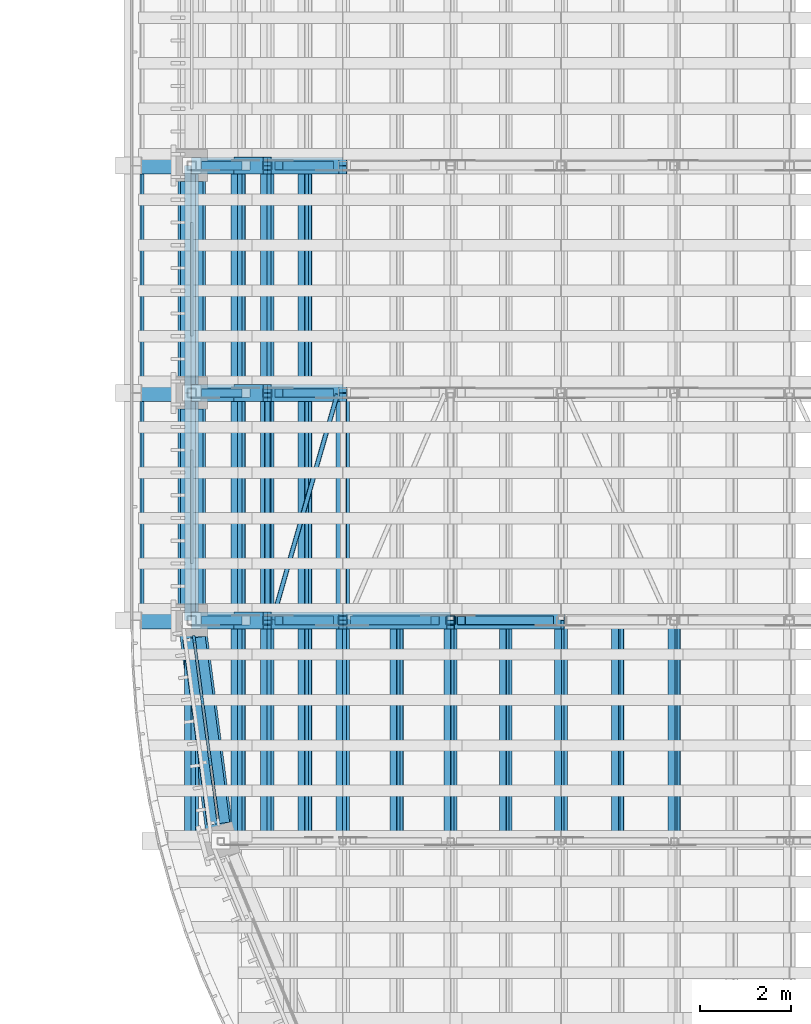
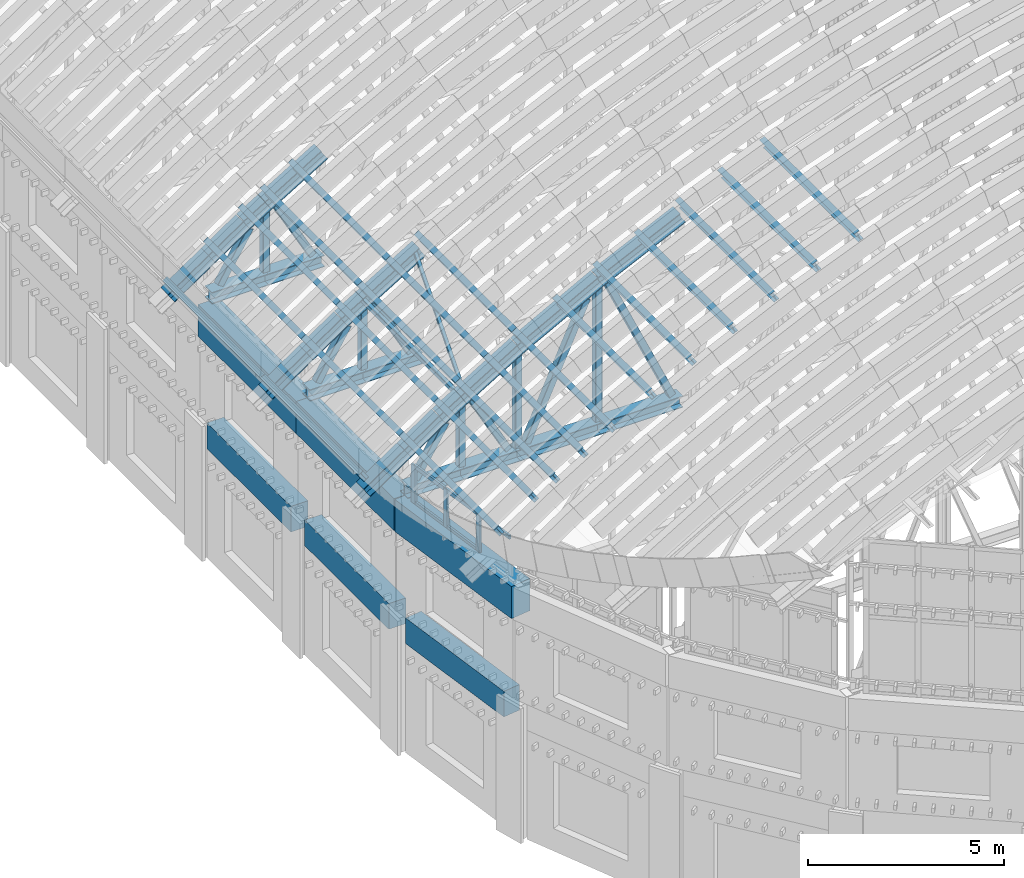
# One storey, part 7 of 105: 67 members, 6 beams, 1 element without a shape of its own.
"""IFC4 building model written with IfcOpenShell, lengths in metres."""

import ifcopenshell
import ifcopenshell.guid

model = None  # the IFC model being written
_history = None  # IfcOwnerHistory: only IFC2X3 demands one
_inside = {}  # id of a spatial element -> (the spatial element, [elements in it])
_under = {}  # id of a project, library or spatial element -> (it, [spatial elements below it])
_declared = {}  # id of a project -> (the project, [libraries it declares])
_typed = {}  # id of a type object -> (the type object, [elements of that type])
_made_of = {}  # id of a material, layer set ... -> (it, [elements and type objects made of it])


def new_model(schema):
    """Start an empty IFC model of exactly this schema.

    Asked for "IFC4X3", IfcOpenShell would pick the latest addendum, in which some entities
    have other attributes; the version numbers below select the first issue.
    IFC2X3 requires an IfcOwnerHistory on every rooted entity: one is made here for all.
    """
    global model, _history
    if schema == "IFC4X3":
        model = ifcopenshell.file(schema_version=(4, 3, 0, 0))
    else:
        model = ifcopenshell.file(schema=schema)
    _inside.clear()
    _under.clear()
    _declared.clear()
    _typed.clear()
    _made_of.clear()
    _history = None
    if model.schema == "IFC2X3":
        org = make("IfcOrganization", Name="unknown")
        user = make(
            "IfcPersonAndOrganization",
            ThePerson=make("IfcPerson", FamilyName="unknown"),
            TheOrganization=org,
        )
        app = make(
            "IfcApplication",
            ApplicationDeveloper=org,
            Version="unknown",
            ApplicationFullName="unknown",
            ApplicationIdentifier="unknown",
        )
        _history = make(
            "IfcOwnerHistory",
            OwningUser=user,
            OwningApplication=app,
            ChangeAction="ADDED",
            CreationDate=0,
        )
    return model


def make(cls, **values):
    """One entity of the class cls with the attributes given. An attribute that is None is left unset."""
    return model.create_entity(
        cls, **{name: value for name, value in values.items() if value is not None}
    )


def rooted(cls, **values):
    """An entity with a GlobalId (a new one), such as an element, a storey or a relation."""
    return make(cls, GlobalId=ifcopenshell.guid.new(), OwnerHistory=_history, **values)


def si_unit(unit_type, name, prefix=None):
    """IfcSIUnit, for example si_unit("LENGTHUNIT", "METRE", prefix="MILLI")."""
    return make("IfcSIUnit", UnitType=unit_type, Prefix=prefix, Name=name)


def assignment(units):
    """IfcUnitAssignment: the units of a project."""
    return None if units is None else make("IfcUnitAssignment", Units=units)


def point(xyz):
    """IfcCartesianPoint."""
    return None if xyz is None else make("IfcCartesianPoint", Coordinates=xyz)


def direction(xyz):
    """IfcDirection."""
    return None if xyz is None else make("IfcDirection", DirectionRatios=xyz)


def frame(location, z_axis=None, x_axis=None):
    """IfcAxis2Placement3D, a coordinate frame: its origin and axes. An axis left out is left unset."""
    return make(
        "IfcAxis2Placement3D",
        Location=point(location),
        Axis=direction(z_axis),
        RefDirection=direction(x_axis),
    )


def frame_2d(location, x_axis=None):
    """IfcAxis2Placement2D, a coordinate frame in the plane: its origin and x axis."""
    return make(
        "IfcAxis2Placement2D", Location=point(location), RefDirection=direction(x_axis)
    )


def origin():
    """The frame at (0, 0, 0) with its axes left unset."""
    return frame((0.0, 0.0, 0.0))


def origin_2d():
    """The frame at (0, 0) in the plane with its x axis left unset."""
    return frame_2d((0.0, 0.0))


def place(relative_to, where):
    """IfcLocalPlacement: puts the frame where relative to a parent placement (None: the world)."""
    return make(
        "IfcLocalPlacement", PlacementRelTo=relative_to, RelativePlacement=where
    )


def context(
    kind, dimensions, precision=None, world=None, true_north=None, identifier=None
):
    """IfcGeometricRepresentationContext, for example the 3D "Model" context."""
    return make(
        "IfcGeometricRepresentationContext",
        ContextIdentifier=identifier,
        ContextType=kind,
        CoordinateSpaceDimension=dimensions,
        Precision=precision,
        WorldCoordinateSystem=world,
        TrueNorth=true_north,
    )


def subcontext(parent, identifier, kind, view, scale=None):
    """IfcGeometricRepresentationSubContext, for example "Body" below "Model"."""
    return make(
        "IfcGeometricRepresentationSubContext",
        ContextIdentifier=identifier,
        ContextType=kind,
        ParentContext=parent,
        TargetScale=scale,
        TargetView=view,
    )


def project(units=None, contexts=None):
    """IfcProject with its units and contexts."""
    return rooted(
        "IfcProject",
        Name="project",
        RepresentationContexts=contexts,
        UnitsInContext=assignment(units),
    )


def spatial(cls, under=None, at=None, **own):
    """A site, building, storey or space (cls), placed at a placement, below another one or the project."""
    s = rooted(cls, ObjectPlacement=at, **own)
    if under is not None:
        _under.setdefault(under.id(), (under, []))[1].append(s)
    return s


def profile(cls, at=None, kind="AREA", **sizes):
    """A parametric profile (cls). Its sizes go by their IFC names, for example OverallWidth=200.0."""
    return make(cls, ProfileType=kind, Position=at, **sizes)


def rectangle(**sizes):
    """IfcRectangleProfileDef."""
    return profile("IfcRectangleProfileDef", **sizes)


def hollow_rectangle(**sizes):
    """IfcRectangleHollowProfileDef."""
    return profile("IfcRectangleHollowProfileDef", **sizes)


def i_section(**sizes):
    """IfcIShapeProfileDef."""
    return profile("IfcIShapeProfileDef", **sizes)


def extrude(swept, where, along, depth):
    """IfcExtrudedAreaSolid: the profile swept, set in the frame where, extruded along a direction by depth."""
    return make(
        "IfcExtrudedAreaSolid",
        SweptArea=swept,
        Position=where,
        ExtrudedDirection=direction(along),
        Depth=depth,
    )


def shape(context_of_items, identifier, shape_type, items):
    """IfcShapeRepresentation: the items that make up one representation, for example the "Body"."""
    return make(
        "IfcShapeRepresentation",
        ContextOfItems=context_of_items,
        RepresentationIdentifier=identifier,
        RepresentationType=shape_type,
        Items=items,
    )


def material(Name=None, Category=None):
    """IfcMaterial."""
    return make("IfcMaterial", Name=Name, Category=Category)


def layer(
    of_material, thickness, ventilated=None, Name=None, Category=None, Priority=None
):
    """IfcMaterialLayer: one layer of a wall or slab, of a material (None: an air gap)."""
    return make(
        "IfcMaterialLayer",
        Material=of_material,
        LayerThickness=thickness,
        IsVentilated=ventilated,
        Name=Name,
        Category=Category,
        Priority=Priority,
    )


def layer_set(layers, Name=None):
    """IfcMaterialLayerSet."""
    return make("IfcMaterialLayerSet", MaterialLayers=layers, LayerSetName=Name)


def material_profile(
    of_material, cross_section, Name=None, Category=None, Priority=None
):
    """IfcMaterialProfile: a cross section and its material."""
    return make(
        "IfcMaterialProfile",
        Name=Name,
        Material=of_material,
        Profile=cross_section,
        Priority=Priority,
        Category=Category,
    )


def profile_set(profiles, Name=None, composite=None):
    """IfcMaterialProfileSet."""
    return make(
        "IfcMaterialProfileSet",
        Name=Name,
        MaterialProfiles=profiles,
        CompositeProfile=composite,
    )


def made_of(thing, what):
    """Note that an element or type object is made of a material, layer set ...; save() writes the relation."""
    if what is not None:
        _made_of.setdefault(what.id(), (what, []))[1].append(thing)
    return thing


def type_object(cls, material=None, **own):
    """A type object (cls), such as IfcWallType, which elements share."""
    return made_of(rooted(cls, **own), material)


def element(
    cls,
    number,
    at=None,
    inside=None,
    cuts=None,
    type_object=None,
    material=None,
    context=None,
    identifier="Body",
    shape_type=None,
    held_by="IfcProductDefinitionShape",
    body=None,
    shapes=None,
    **own,
):
    """One element of the class cls, such as IfcWall. Its Tag is "e" and its number.

    at: its placement. inside: the storey or other place that contains it. cuts: it is an
    opening in that element (IfcRelVoidsElement). A single representation is given by context,
    identifier, shape_type and body (its items); several are given by shapes. held_by: the class
    of the entity that holds the representations. save() writes the other relations.
    """
    e = rooted(cls, Tag="e%d" % number, ObjectPlacement=at, **own)
    if body is not None:
        shapes = [shape(context, identifier, shape_type, body)]
    if shapes is not None:
        e.Representation = make(held_by, Representations=shapes)
    if inside is not None:
        _inside.setdefault(inside.id(), (inside, []))[1].append(e)
    if cuts is not None:
        rooted(
            "IfcRelVoidsElement", RelatingBuildingElement=cuts, RelatedOpeningElement=e
        )
    if type_object is not None:
        _typed.setdefault(type_object.id(), (type_object, []))[1].append(e)
    return made_of(e, material)


def aggregate(whole, parts):
    """IfcRelAggregates: a whole, such as a stair, and the parts it consists of."""
    return rooted("IfcRelAggregates", RelatingObject=whole, RelatedObjects=parts)


def save(model, path):
    """Write the relations noted so far, then the file.

    IfcRelAggregates (storeys below a building ...), IfcRelContainedInSpatialStructure (elements
    in a storey), IfcRelDefinesByType, IfcRelAssociatesMaterial and IfcRelDeclares: one each for
    every whole, place, type object, material and project.
    """
    for whole, parts in _under.values():
        aggregate(whole, parts)
    for where, things in _inside.values():
        rooted(
            "IfcRelContainedInSpatialStructure",
            RelatedElements=things,
            RelatingStructure=where,
        )
    for kind, things in _typed.values():
        rooted("IfcRelDefinesByType", RelatedObjects=things, RelatingType=kind)
    for what, things in _made_of.values():
        rooted("IfcRelAssociatesMaterial", RelatedObjects=things, RelatingMaterial=what)
    for by, libraries in _declared.values():
        rooted("IfcRelDeclares", RelatingContext=by, RelatedDefinitions=libraries)
    model.write(path)


model = new_model("IFC4")

# Units and contexts
model_context = context("Model", 3, precision=1e-05, world=origin(), true_north=direction((0.0, 1.0)))
body_context = subcontext(model_context, "Body", "Model", "MODEL_VIEW")
ifc_project = project(units=[si_unit("LENGTHUNIT", "METRE"), si_unit("AREAUNIT", "SQUARE_METRE"), si_unit("VOLUMEUNIT", "CUBIC_METRE"), si_unit("PLANEANGLEUNIT", "RADIAN"), si_unit("MASSUNIT", "GRAM", prefix="KILO")], contexts=[model_context])

# Site, building, storey
site_placement = place(None, origin())
site = spatial("IfcSite", under=ifc_project, at=site_placement, CompositionType="ELEMENT")
building_placement = place(site_placement, origin())
building = spatial("IfcBuilding", under=site, at=building_placement, Name="Wasatch Bagh Community Centre", CompositionType="ELEMENT")
storey_placement = place(building_placement, frame((0.0, 0.0, 16.800048828125)))
storey = spatial("IfcBuildingStorey", under=building, at=storey_placement, Name="L04", CompositionType="ELEMENT", Elevation=16.800048828125)

# Members
ifc_material_1 = material(Name="ASTM A500 Grade C steel", Category="steel")
ifc_material_profile_1 = material_profile(ifc_material_1, hollow_rectangle(XDim=0.1015625, YDim=0.1015625, WallThickness=0.005859375, InnerFilletRadius=0.005859375, OuterFilletRadius=0.01171875, at=origin_2d()), Name="HSS4x4x1/4")
ifc_profile_set_1 = profile_set([ifc_material_profile_1], Name="ASTM A500 Grade C steel")
member_type_1 = type_object("IfcMemberType", Name="HSS4x4x1/4 brace", PredefinedType="BRACE", material=ifc_profile_set_1)
member_1_placement = place(storey_placement, frame((19.0341796875, 35.02734375, 10.2763671875), z_axis=(0.27212936692, 0.948099837692, 0.164475850595), x_axis=(-0.961190180835, 0.27588663662, 0.0)))
element("IfcMember", 1, at=member_1_placement, inside=storey, type_object=member_type_1, Name="MH.TA1-TA2.RT.DG02", PredefinedType="BRACE", context=body_context, shape_type="SweptSolid", body=[
    extrude(hollow_rectangle(XDim=0.1015625, YDim=0.1015625, WallThickness=0.005859375, InnerFilletRadius=0.005859375, OuterFilletRadius=0.01171875, at=origin_2d()), origin(), (0.0, 0.0, 1.0), 5.216064453125),
])
ifc_material_profile_2 = material_profile(ifc_material_1, hollow_rectangle(XDim=0.126953125, YDim=0.126953125, WallThickness=0.00732421875, InnerFilletRadius=0.00732421875, OuterFilletRadius=0.0146484375, at=origin_2d()), Name="HSS5x5x5/16")
ifc_profile_set_2 = profile_set([ifc_material_profile_2], Name="ASTM A500 Grade C steel")
member_type_2 = type_object("IfcMemberType", Name="HSS5x5x5/16 strut", PredefinedType="STRUT", material=ifc_profile_set_2)
member_2_placement = place(storey_placement, frame((18.91259765625, 35.00537109375, 10.202880859375), z_axis=(0.0, 1.0, 0.0), x_axis=(-1.0, 0.0, 0.0)))
element("IfcMember", 2, at=member_2_placement, inside=storey, type_object=member_type_2, Name="MH.TA1-TA2.RT.ST02W", PredefinedType="STRUT", context=body_context, shape_type="SweptSolid", body=[
    extrude(hollow_rectangle(XDim=0.126953125, YDim=0.126953125, WallThickness=0.00732421875, InnerFilletRadius=0.00732421875, OuterFilletRadius=0.0146484375, at=origin_2d()), origin(), (0.0, 0.0, 1.0), 4.9892578125),
])
ifc_material_profile_3 = material_profile(ifc_material_1, hollow_rectangle(XDim=0.203125, YDim=0.203125, WallThickness=0.01171875, InnerFilletRadius=0.01171875, OuterFilletRadius=0.023681640625, at=origin_2d()), Name="HSS8x8x1/2")
ifc_profile_set_3 = profile_set([ifc_material_profile_3], Name="ASTM A500 Grade C steel")
member_type_3 = type_object("IfcMemberType", Name="HSS8x8x1/2 post", PredefinedType="POST", material=ifc_profile_set_3)
member_3_placement = place(storey_placement, frame((18.91259765625, 35.0, 8.070556640625), z_axis=(0.0, 0.0, 1.0), x_axis=(1.0, 0.0, 0.0)))
element("IfcMember", 3, at=member_3_placement, inside=storey, type_object=member_type_3, Name="MH.TA1.PS02", PredefinedType="POST", context=body_context, shape_type="SweptSolid", body=[
    extrude(hollow_rectangle(XDim=0.203125, YDim=0.203125, WallThickness=0.01171875, InnerFilletRadius=0.01171875, OuterFilletRadius=0.023681640625, at=origin_2d()), origin(), (0.0, 0.0, 1.0), 1.8544921875),
])
member_4_placement = place(storey_placement, frame((20.5751953125, 35.0, 8.070556640625), z_axis=(0.0, 0.0, 1.0), x_axis=(1.0, 0.0, 0.0)))
element("IfcMember", 4, at=member_4_placement, inside=storey, type_object=member_type_3, Name="MH.TA1.PS03", PredefinedType="POST", context=body_context, shape_type="SweptSolid", body=[
    extrude(hollow_rectangle(XDim=0.203125, YDim=0.203125, WallThickness=0.01171875, InnerFilletRadius=0.01171875, OuterFilletRadius=0.023681640625, at=origin_2d()), origin(), (0.0, 0.0, 1.0), 2.860107421875),
])
member_5_placement = place(storey_placement, frame((22.943359375, 35.0, 8.070556640625), z_axis=(0.0, 0.0, 1.0), x_axis=(1.0, 0.0, 0.0)))
element("IfcMember", 5, at=member_5_placement, inside=storey, type_object=member_type_3, Name="MH.TA1.PS04", PredefinedType="POST", context=body_context, shape_type="SweptSolid", body=[
    extrude(hollow_rectangle(XDim=0.203125, YDim=0.203125, WallThickness=0.01171875, InnerFilletRadius=0.01171875, OuterFilletRadius=0.023681640625, at=origin_2d()), origin(), (0.0, 0.0, 1.0), 4.143798828125),
])
for number, where, z_axis, x_axis, name in (
    (6, (18.91259765625, 40.0, 8.070556640625), (0.0, 0.0, 1.0), (1.0, 0.0, 0.0), "MH.TA2.PS02"),
    (7, (18.91259765625, 45.0, 8.070556640625), (0.0, 0.0, 1.0), (1.0, 0.0, 0.0), "MH.TA3.PS02"),
):
    element("IfcMember", number, at=place(storey_placement, frame(where, z_axis=z_axis, x_axis=x_axis)), inside=storey, type_object=member_type_3, Name=name, PredefinedType="POST", context=body_context, shape_type="SweptSolid", body=[
        extrude(hollow_rectangle(XDim=0.203125, YDim=0.203125, WallThickness=0.01171875, InnerFilletRadius=0.01171875, OuterFilletRadius=0.023681640625, at=origin_2d()), origin(), (0.0, 0.0, 1.0), 1.8544921875),
    ])
ifc_material_profile_4 = material_profile(ifc_material_1, hollow_rectangle(XDim=0.203125, YDim=0.203125, WallThickness=0.0087890625, InnerFilletRadius=0.0087890625, OuterFilletRadius=0.017822265625, at=origin_2d()), Name="HSS8x8x3/8")
ifc_profile_set_4 = profile_set([ifc_material_profile_4], Name="ASTM A500 Grade C steel")
member_type_4 = type_object("IfcMemberType", Name="HSS8x8x3/8 brace", PredefinedType="BRACE", material=ifc_profile_set_4)
member_6_placement = place(storey_placement, frame((17.5537109375, 35.0, 8.12353515625), z_axis=(0.516603928155, 0.0, 0.856224492417), x_axis=(0.0, 1.0, 0.0)))
element("IfcMember", 8, at=member_6_placement, inside=storey, type_object=member_type_4, Name="MH.TA1.WB01", PredefinedType="BRACE", context=body_context, shape_type="SweptSolid", body=[
    extrude(hollow_rectangle(XDim=0.203125, YDim=0.203125, WallThickness=0.0087890625, InnerFilletRadius=0.0087890625, OuterFilletRadius=0.017822265625, at=origin_2d()), origin(), (0.0, 0.0, 1.0), 1.71875),
])
member_7_placement = place(storey_placement, frame((20.28466796875, 35.0, 8.120361328125), z_axis=(-0.48431154024, 0.0, 0.874895612054), x_axis=(0.0, -1.0, 0.0)))
element("IfcMember", 9, at=member_7_placement, inside=storey, type_object=member_type_4, Name="MH.TA1.WB02", PredefinedType="BRACE", context=body_context, shape_type="SweptSolid", body=[
    extrude(hollow_rectangle(XDim=0.203125, YDim=0.203125, WallThickness=0.0087890625, InnerFilletRadius=0.0087890625, OuterFilletRadius=0.017822265625, at=origin_2d()), origin(), (0.0, 0.0, 1.0), 2.30517578125),
])
member_8_placement = place(storey_placement, frame((20.834716796875, 35.0, 8.11328125), z_axis=(0.41454038017, 0.0, 0.91003091882), x_axis=(0.0, 1.0, 0.0)))
element("IfcMember", 10, at=member_8_placement, inside=storey, type_object=member_type_4, Name="MH.TA1.WB03", PredefinedType="BRACE", context=body_context, shape_type="SweptSolid", body=[
    extrude(hollow_rectangle(XDim=0.203125, YDim=0.203125, WallThickness=0.0087890625, InnerFilletRadius=0.0087890625, OuterFilletRadius=0.017822265625, at=origin_2d()), origin(), (0.0, 0.0, 1.0), 4.2646484375),
])
member_9_placement = place(storey_placement, frame((25.114501953125, 35.0, 8.113037109375), z_axis=(-0.412645327125, 0.0, 0.910891779523), x_axis=(0.0, -1.0, 0.0)))
element("IfcMember", 11, at=member_9_placement, inside=storey, type_object=member_type_4, Name="MH.TA1.WB04", PredefinedType="BRACE", context=body_context, shape_type="SweptSolid", body=[
    extrude(hollow_rectangle(XDim=0.203125, YDim=0.203125, WallThickness=0.0087890625, InnerFilletRadius=0.0087890625, OuterFilletRadius=0.017822265625, at=origin_2d()), origin(), (0.0, 0.0, 1.0), 4.688720703125),
])
member_10_placement = place(storey_placement, frame((17.5537109375, 40.0, 8.12353515625), z_axis=(0.516603928155, 0.0, 0.856224492417), x_axis=(0.0, 1.0, 0.0)))
element("IfcMember", 12, at=member_10_placement, inside=storey, type_object=member_type_4, Name="MH.TA2.WB01", PredefinedType="BRACE", context=body_context, shape_type="SweptSolid", body=[
    extrude(hollow_rectangle(XDim=0.203125, YDim=0.203125, WallThickness=0.0087890625, InnerFilletRadius=0.0087890625, OuterFilletRadius=0.017822265625, at=origin_2d()), origin(), (0.0, 0.0, 1.0), 1.71875),
])
member_11_placement = place(storey_placement, frame((20.28466796875, 40.0, 8.120361328125), z_axis=(-0.48431154024, 0.0, 0.874895612054), x_axis=(0.0, -1.0, 0.0)))
element("IfcMember", 13, at=member_11_placement, inside=storey, type_object=member_type_4, Name="MH.TA2.WB02", PredefinedType="BRACE", context=body_context, shape_type="SweptSolid", body=[
    extrude(hollow_rectangle(XDim=0.203125, YDim=0.203125, WallThickness=0.0087890625, InnerFilletRadius=0.0087890625, OuterFilletRadius=0.017822265625, at=origin_2d()), origin(), (0.0, 0.0, 1.0), 2.30517578125),
])
member_12_placement = place(storey_placement, frame((17.5537109375, 45.0, 8.12353515625), z_axis=(0.516603928155, 0.0, 0.856224492417), x_axis=(0.0, 1.0, 0.0)))
element("IfcMember", 14, at=member_12_placement, inside=storey, type_object=member_type_4, Name="MH.TA3.WB01", PredefinedType="BRACE", context=body_context, shape_type="SweptSolid", body=[
    extrude(hollow_rectangle(XDim=0.203125, YDim=0.203125, WallThickness=0.0087890625, InnerFilletRadius=0.0087890625, OuterFilletRadius=0.017822265625, at=origin_2d()), origin(), (0.0, 0.0, 1.0), 1.71875),
])
member_13_placement = place(storey_placement, frame((20.28466796875, 45.0, 8.120361328125), z_axis=(-0.48431154024, 0.0, 0.874895612054), x_axis=(0.0, -1.0, 0.0)))
element("IfcMember", 15, at=member_13_placement, inside=storey, type_object=member_type_4, Name="MH.TA3.WB02", PredefinedType="BRACE", context=body_context, shape_type="SweptSolid", body=[
    extrude(hollow_rectangle(XDim=0.203125, YDim=0.203125, WallThickness=0.0087890625, InnerFilletRadius=0.0087890625, OuterFilletRadius=0.017822265625, at=origin_2d()), origin(), (0.0, 0.0, 1.0), 2.30517578125),
])

# Curtain wall, members
ifc_material_2 = material(Name="Aluminium curtain wall frame with low-iron glass", Category="aluminium")
ifc_layer = layer(ifc_material_2, 0.10009765625)
ifc_layer_set = layer_set([ifc_layer], Name="Aluminium curtain wall frame with low-iron glass")
curtain_wall_type = type_object("IfcCurtainWallType", Name="MH end screen curtain wall 1", PredefinedType="NOTDEFINED", material=ifc_layer_set)
curtain_wall_placement = place(storey_placement, origin())
curtain_wall = element("IfcCurtainWall", 16, at=curtain_wall_placement, inside=storey, type_object=curtain_wall_type, Name="End screen 1", PredefinedType="NOTDEFINED")
ifc_material_3 = material(Name="Aluminium extrusion", Category="aluminium")
ifc_material_profile_5 = material_profile(ifc_material_3, rectangle(XDim=0.06005859375, YDim=0.159912109375, at=origin_2d()), Name="AL 60x160")
ifc_profile_set_5 = profile_set([ifc_material_profile_5], Name="Aluminium extrusion")
member_type_5 = type_object("IfcMemberType", Name="MH end screen mullion 60x160", PredefinedType="MULLION", material=ifc_profile_set_5)
member_14_placement = place(storey_placement, frame((17.304443359375, 34.587158203125, 7.699951171875), z_axis=(0.0, 0.0, 1.0), x_axis=(0.991444861374, 0.13052619222, 0.0)))
member_14 = element("IfcMember", 17, at=member_14_placement, type_object=member_type_5, Name="MH-CW1 mullion 1", PredefinedType="MULLION", context=body_context, shape_type="SweptSolid", body=[
    extrude(rectangle(XDim=0.06005859375, YDim=0.159912109375, at=origin_2d()), origin(), (0.0, 0.0, 1.0), 1.199951171875),
])
member_15_placement = place(storey_placement, frame((17.479736328125, 33.254638671875, 7.699951171875), z_axis=(0.0, 0.0, 1.0), x_axis=(0.991444861374, 0.13052619222, 0.0)))
member_15 = element("IfcMember", 18, at=member_15_placement, type_object=member_type_5, Name="MH-CW1 mullion 2", PredefinedType="MULLION", context=body_context, shape_type="SweptSolid", body=[
    extrude(rectangle(XDim=0.06005859375, YDim=0.159912109375, at=origin_2d()), origin(), (0.0, 0.0, 1.0), 1.199951171875),
])
member_16_placement = place(storey_placement, frame((17.6591796875, 31.892578125, 7.699951171875), z_axis=(0.0, 0.0, 1.0), x_axis=(0.991444861374, 0.13052619222, 0.0)))
member_16 = element("IfcMember", 19, at=member_16_placement, type_object=member_type_5, Name="MH-CW1 mullion 3", PredefinedType="MULLION", context=body_context, shape_type="SweptSolid", body=[
    extrude(rectangle(XDim=0.06005859375, YDim=0.159912109375, at=origin_2d()), origin(), (0.0, 0.0, 1.0), 1.199951171875),
])
ifc_material_profile_6 = material_profile(ifc_material_3, rectangle(XDim=0.06005859375, YDim=0.1201171875, at=origin_2d()), Name="AL 60x120")
ifc_profile_set_6 = profile_set([ifc_material_profile_6], Name="Aluminium extrusion")
member_type_6 = type_object("IfcMemberType", Name="MH end screen transom 60x120", PredefinedType="USERDEFINED", material=ifc_profile_set_6)
member_17_placement = place(storey_placement, frame((17.308349609375, 34.557373046875, 7.72998046875), z_axis=(0.130444674855, -0.991455589929, 0.0), x_axis=(0.991455589929, 0.130444674855, 0.0)))
member_17 = element("IfcMember", 20, at=member_17_placement, type_object=member_type_6, Name="MH-CW1 transom 1.1", ObjectType="TRANSOM", PredefinedType="USERDEFINED", context=body_context, shape_type="SweptSolid", body=[
    extrude(rectangle(XDim=0.06005859375, YDim=0.1201171875, at=origin_2d()), origin(), (0.0, 0.0, 1.0), 1.283935546875),
])
member_18_placement = place(storey_placement, frame((17.308349609375, 34.557373046875, 8.869873046875), z_axis=(0.130444674855, -0.991455589929, 0.0), x_axis=(0.991455589929, 0.130444674855, 0.0)))
member_18 = element("IfcMember", 21, at=member_18_placement, type_object=member_type_6, Name="MH-CW1 transom 1.2", ObjectType="TRANSOM", PredefinedType="USERDEFINED", context=body_context, shape_type="SweptSolid", body=[
    extrude(rectangle(XDim=0.06005859375, YDim=0.1201171875, at=origin_2d()), origin(), (0.0, 0.0, 1.0), 1.283935546875),
])
member_19_placement = place(storey_placement, frame((17.483642578125, 33.224853515625, 7.72998046875), z_axis=(0.130617924389, -0.991432780287, 0.0), x_axis=(0.991432780287, 0.130617924389, 0.0)))
member_19 = element("IfcMember", 22, at=member_19_placement, type_object=member_type_6, Name="MH-CW1 transom 2.1", ObjectType="TRANSOM", PredefinedType="USERDEFINED", context=body_context, shape_type="SweptSolid", body=[
    extrude(rectangle(XDim=0.06005859375, YDim=0.1201171875, at=origin_2d()), origin(), (0.0, 0.0, 1.0), 1.31396484375),
])
member_20_placement = place(storey_placement, frame((17.483642578125, 33.224853515625, 8.869873046875), z_axis=(0.130617924389, -0.991432780287, 0.0), x_axis=(0.991432780287, 0.130617924389, 0.0)))
member_20 = element("IfcMember", 23, at=member_20_placement, type_object=member_type_6, Name="MH-CW1 transom 2.2", ObjectType="TRANSOM", PredefinedType="USERDEFINED", context=body_context, shape_type="SweptSolid", body=[
    extrude(rectangle(XDim=0.06005859375, YDim=0.1201171875, at=origin_2d()), origin(), (0.0, 0.0, 1.0), 1.31396484375),
])
member_21_placement = place(storey_placement, frame((17.6630859375, 31.86279296875, 8.869873046875), z_axis=(0.130444674855, -0.991455589929, 0.0), x_axis=(0.991455589929, 0.130444674855, 0.0)))
member_21 = element("IfcMember", 24, at=member_21_placement, type_object=member_type_6, Name="MH-CW1 transom 3.2", ObjectType="TRANSOM", PredefinedType="USERDEFINED", context=body_context, shape_type="SweptSolid", body=[
    extrude(rectangle(XDim=0.06005859375, YDim=0.1201171875, at=origin_2d()), origin(), (0.0, 0.0, 1.0), 1.283935546875),
])
aggregate(curtain_wall, [member_14, member_15, member_16, member_17, member_18, member_19, member_20, member_21])

# Beams
ifc_material_4 = material(Name="Concrete C35", Category="concrete")
ifc_material_profile_7 = material_profile(ifc_material_4, rectangle(XDim=0.5, YDim=0.800048828125, at=origin_2d()), Name="RC 500x800")
ifc_profile_set_7 = profile_set([ifc_material_profile_7], Name="Concrete C35")
beam_type_1 = type_object("IfcBeamType", Name="MH ring beam RC 500x800", PredefinedType="BEAM", material=ifc_profile_set_7)
beam_1_placement = place(storey_placement, frame((17.300537109375, 34.616943359375, 3.800048828125), z_axis=(0.130483623501, -0.991450464722, 0.0), x_axis=(0.991450464722, 0.130483623501, 0.0)))
element("IfcBeam", 25, at=beam_1_placement, inside=storey, type_object=beam_type_1, Name="Ring beam 21.0 W1-S1", PredefinedType="BEAM", context=body_context, shape_type="SweptSolid", body=[
    extrude(rectangle(XDim=0.5, YDim=0.800048828125, at=origin_2d()), origin(), (0.0, 0.0, 1.0), 4.121826171875),
])
for number, where, z_axis, x_axis, name in (
    (26, (17.25, 44.6494140625, 3.800048828125), (0.0, -1.0, 0.0), (1.0, 0.0, 0.0), "Ring beam 21.0 W3-W2"),
    (27, (17.25, 39.6494140625, 3.800048828125), (0.0, -1.0, 0.0), (1.0, 0.0, 0.0), "Ring beam 21.0 W2-W1"),
):
    element("IfcBeam", number, at=place(storey_placement, frame(where, z_axis=z_axis, x_axis=x_axis)), inside=storey, type_object=beam_type_1, Name=name, PredefinedType="BEAM", context=body_context, shape_type="SweptSolid", body=[
        extrude(rectangle(XDim=0.5, YDim=0.800048828125, at=origin_2d()), origin(), (0.0, 0.0, 1.0), 4.298828125),
    ])
ifc_material_profile_8 = material_profile(ifc_material_4, rectangle(XDim=0.60009765625, YDim=1.0, at=origin_2d()), Name="RC 600x1000")
ifc_profile_set_8 = profile_set([ifc_material_profile_8], Name="Concrete C35")
beam_type_2 = type_object("IfcBeamType", Name="MH ring beam RC 600x1000", PredefinedType="BEAM", material=ifc_profile_set_8)
beam_2_placement = place(storey_placement, frame((17.25, 35.0, 7.199951171875), z_axis=(0.130533218363, -0.991443936339, 0.0), x_axis=(0.991443936339, 0.130533218363, 0.0)))
element("IfcBeam", 28, at=beam_2_placement, inside=storey, type_object=beam_type_2, Name="Ring beam 24.5 W1-S1", PredefinedType="BEAM", context=body_context, shape_type="SweptSolid", body=[
    extrude(rectangle(XDim=0.60009765625, YDim=1.0, at=origin_2d()), origin(), (0.0, 0.0, 1.0), 4.894775390625),
])
for number, where, z_axis, x_axis, name in (
    (29, (17.25, 45.0, 7.199951171875), (0.0, -1.0, 0.0), (1.0, 0.0, 0.0), "Ring beam 24.5 W3-W2"),
    (30, (17.25, 40.0, 7.199951171875), (0.0, -1.0, 0.0), (1.0, 0.0, 0.0), "Ring beam 24.5 W2-W1"),
):
    element("IfcBeam", number, at=place(storey_placement, frame(where, z_axis=z_axis, x_axis=x_axis)), inside=storey, type_object=beam_type_2, Name=name, PredefinedType="BEAM", context=body_context, shape_type="SweptSolid", body=[
        extrude(rectangle(XDim=0.60009765625, YDim=1.0, at=origin_2d()), origin(), (0.0, 0.0, 1.0), 5.0),
    ])

# Members
ifc_material_5 = material(Name="ASTM A992 Grade 50 steel", Category="steel")
ifc_material_profile_9 = material_profile(ifc_material_5, i_section(OverallWidth=0.164794921875, OverallDepth=0.309814453125, WebThickness=0.005859375, FlangeThickness=0.009765625, at=origin_2d()), Name="W12x26")
ifc_profile_set_9 = profile_set([ifc_material_profile_9], Name="ASTM A992 Grade 50 steel")
member_type_7 = type_object("IfcMemberType", Name="W12x26 purlin", PredefinedType="PURLIN", material=ifc_profile_set_9)
for number, where, z_axis, x_axis, name in (
    (31, (17.25, 30.147216796875, 9.528564453125), (0.0, 1.0, 0.0), (-0.828790536479, 0.0, -0.559558975125), "MH.TS1-TA1.PU01"),
    (32, (18.275146484375, 30.147216796875, 10.220947265625), (0.0, 1.0, 0.0), (-0.828790536479, 0.0, -0.559558975125), "MH.TS1-TA1.PU02"),
    (33, (18.91259765625, 30.147216796875, 10.5986328125), (0.0, 1.0, 0.0), (-0.856568211081, 0.0, -0.516033816494), "MH.TS1-TA1.PU03"),
    (34, (19.743896484375, 30.147216796875, 11.099609375), (0.0, 1.0, 0.0), (-0.856568211081, 0.0, -0.516033816494), "MH.TS1-TA1.PU04"),
    (35, (20.5751953125, 30.147216796875, 11.600341796875), (0.0, 1.0, 0.0), (-0.856568211081, 0.0, -0.516033816494), "MH.TS1-TA1.PU05"),
    (36, (21.75927734375, 30.147216796875, 12.2275390625), (0.0, 1.0, 0.0), (-0.882062247877, 0.0, -0.471132880269), "MH.TS1-TA1.PU06"),
    (37, (22.943359375, 30.147216796875, 12.860107421875), (0.0, 1.0, 0.0), (-0.882062247877, 0.0, -0.471132880269), "MH.TS1-TA1.PU07"),
    (38, (24.15869140625, 30.147216796875, 13.426025390625), (0.0, 1.0, 0.0), (-0.905204669284, 0.0, -0.424975889559), "MH.TS1-TA1.PU08"),
    (39, (25.373779296875, 30.147216796875, 13.99658203125), (0.0, 1.0, 0.0), (-0.905204669284, 0.0, -0.424975889559), "MH.TS1-TA1.PU09"),
    (40, (26.616943359375, 30.147216796875, 14.499755859375), (0.0, 1.0, 0.0), (-0.925933779633, 0.0, -0.377685895599), "MH.TS1-TA1.PU10"),
    (41, (27.85986328125, 30.147216796875, 15.0068359375), (0.0, 1.0, 0.0), (-0.925933779633, 0.0, -0.377685895599), "MH.TS1-TA1.PU11"),
):
    element("IfcMember", number, at=place(storey_placement, frame(where, z_axis=z_axis, x_axis=x_axis)), inside=storey, type_object=member_type_7, Name=name, PredefinedType="PURLIN", context=body_context, shape_type="SweptSolid", body=[
        extrude(i_section(OverallWidth=0.164794921875, OverallDepth=0.309814453125, WebThickness=0.005859375, FlangeThickness=0.009765625, at=origin_2d()), origin(), (0.0, 0.0, 1.0), 4.852783203125),
    ])
for number, where, z_axis, x_axis, name in (
    (42, (16.050048828125, 35.0, 8.718505859375), (0.0, 1.0, 0.0), (-0.828790536479, 0.0, -0.559558975125), "MH.TA1-TA2.PU01"),
    (43, (17.25, 35.0, 9.528564453125), (0.0, 1.0, 0.0), (-0.828790536479, 0.0, -0.559558975125), "MH.TA1-TA2.PU02"),
    (44, (18.275146484375, 35.0, 10.220947265625), (0.0, 1.0, 0.0), (-0.828790536479, 0.0, -0.559558975125), "MH.TA1-TA2.PU03"),
    (45, (18.91259765625, 35.0, 10.5986328125), (0.0, 1.0, 0.0), (-0.856568201678, 0.0, -0.516033832102), "MH.TA1-TA2.PU04"),
    (46, (19.743896484375, 35.0, 11.099609375), (0.0, 1.0, 0.0), (-0.856568214693, 0.0, -0.516033810499), "MH.TA1-TA2.PU05"),
    (47, (20.5751953125, 35.0, 11.600341796875), (0.0, 1.0, 0.0), (-0.856568214693, 0.0, -0.516033810499), "MH.TA1-TA2.PU06"),
    (48, (16.050048828125, 40.0, 8.718505859375), (0.0, 1.0, 0.0), (-0.828790536479, 0.0, -0.559558975125), "MH.TA2-TA3.PU01"),
    (49, (17.25, 40.0, 9.528564453125), (0.0, 1.0, 0.0), (-0.828790536479, 0.0, -0.559558975125), "MH.TA2-TA3.PU02"),
    (50, (18.275146484375, 40.0, 10.220947265625), (0.0, 1.0, 0.0), (-0.828790536479, 0.0, -0.559558975125), "MH.TA2-TA3.PU03"),
    (51, (18.91259765625, 40.0, 10.5986328125), (0.0, 1.0, 0.0), (-0.856568201678, 0.0, -0.516033832102), "MH.TA2-TA3.PU04"),
    (52, (19.743896484375, 40.0, 11.099609375), (0.0, 1.0, 0.0), (-0.856568214693, 0.0, -0.516033810499), "MH.TA2-TA3.PU05"),
):
    element("IfcMember", number, at=place(storey_placement, frame(where, z_axis=z_axis, x_axis=x_axis)), inside=storey, type_object=member_type_7, Name=name, PredefinedType="PURLIN", context=body_context, shape_type="SweptSolid", body=[
        extrude(i_section(OverallWidth=0.164794921875, OverallDepth=0.309814453125, WebThickness=0.005859375, FlangeThickness=0.009765625, at=origin_2d()), origin(), (0.0, 0.0, 1.0), 5.0),
    ])
ifc_material_profile_10 = material_profile(ifc_material_5, i_section(OverallWidth=0.373291015625, OverallDepth=0.368408203125, WebThickness=0.014892578125, FlangeThickness=0.02392578125, at=origin_2d()), Name="W14x120")
ifc_profile_set_10 = profile_set([ifc_material_profile_10], Name="ASTM A992 Grade 50 steel")
member_type_8 = type_object("IfcMemberType", Name="W14x120 chord", PredefinedType="CHORD", material=ifc_profile_set_10)
member_22_placement = place(storey_placement, frame((16.050048828125, 35.0, 8.309326171875), z_axis=(0.828791955718, 0.0, 0.559556873014), x_axis=(0.0, 1.0, 0.0)))
element("IfcMember", 53, at=member_22_placement, inside=storey, type_object=member_type_8, Name="MH.TA1.TC01", PredefinedType="CHORD", context=body_context, shape_type="SweptSolid", body=[
    extrude(i_section(OverallWidth=0.373291015625, OverallDepth=0.368408203125, WebThickness=0.014892578125, FlangeThickness=0.02392578125, at=origin_2d()), origin(), (0.0, 0.0, 1.0), 1.447265625),
])
member_23_placement = place(storey_placement, frame((17.25048828125, 35.0, 9.119873046875), z_axis=(0.827423215104, 0.0, 0.561578866328), x_axis=(0.0, 1.0, 0.0)))
element("IfcMember", 54, at=member_23_placement, inside=storey, type_object=member_type_8, Name="MH.TA1.TC02", PredefinedType="CHORD", context=body_context, shape_type="SweptSolid", body=[
    extrude(i_section(OverallWidth=0.373291015625, OverallDepth=0.368408203125, WebThickness=0.014892578125, FlangeThickness=0.02392578125, at=origin_2d()), origin(), (0.0, 0.0, 1.0), 1.2333984375),
])
member_24_placement = place(storey_placement, frame((18.279541015625, 35.0, 9.818115234375), z_axis=(0.854567882738, 0.0, 0.519339709432), x_axis=(0.0, 1.0, 0.0)))
element("IfcMember", 55, at=member_24_placement, inside=storey, type_object=member_type_8, Name="MH.TA1.TC03", PredefinedType="CHORD", context=body_context, shape_type="SweptSolid", body=[
    extrude(i_section(OverallWidth=0.373291015625, OverallDepth=0.368408203125, WebThickness=0.014892578125, FlangeThickness=0.02392578125, at=origin_2d()), origin(), (0.0, 0.0, 1.0), 0.739990234375),
])
member_25_placement = place(storey_placement, frame((18.9130859375, 35.0, 10.203125), z_axis=(0.855786494441, 0.0, 0.517329175605), x_axis=(0.0, 1.0, 0.0)))
element("IfcMember", 56, at=member_25_placement, inside=storey, type_object=member_type_8, Name="MH.TA1.TC04", PredefinedType="CHORD", context=body_context, shape_type="SweptSolid", body=[
    extrude(i_section(OverallWidth=0.373291015625, OverallDepth=0.368408203125, WebThickness=0.014892578125, FlangeThickness=0.02392578125, at=origin_2d()), origin(), (0.0, 0.0, 1.0), 1.936767578125),
])
member_26_placement = place(storey_placement, frame((20.57958984375, 35.0, 11.210205078125), z_axis=(0.881199185378, 0.0, 0.472745169927), x_axis=(0.0, 1.0, 0.0)))
element("IfcMember", 57, at=member_26_placement, inside=storey, type_object=member_type_8, Name="MH.TA1.TC05", PredefinedType="CHORD", context=body_context, shape_type="SweptSolid", body=[
    extrude(i_section(OverallWidth=0.373291015625, OverallDepth=0.368408203125, WebThickness=0.014892578125, FlangeThickness=0.02392578125, at=origin_2d()), origin(), (0.0, 0.0, 1.0), 2.67724609375),
])
member_27_placement = place(storey_placement, frame((22.9482421875, 35.0, 12.480712890625), z_axis=(0.90451458508, 0.0, 0.426442687096), x_axis=(0.0, 1.0, 0.0)))
element("IfcMember", 58, at=member_27_placement, inside=storey, type_object=member_type_8, Name="MH.TA1.TC06", PredefinedType="CHORD", context=body_context, shape_type="SweptSolid", body=[
    extrude(i_section(OverallWidth=0.373291015625, OverallDepth=0.368408203125, WebThickness=0.014892578125, FlangeThickness=0.02392578125, at=origin_2d()), origin(), (0.0, 0.0, 1.0), 2.676513671875),
])
member_28_placement = place(storey_placement, frame((16.050048828125, 40.0, 8.309326171875), z_axis=(0.828791955718, 0.0, 0.559556873014), x_axis=(0.0, 1.0, 0.0)))
element("IfcMember", 59, at=member_28_placement, inside=storey, type_object=member_type_8, Name="MH.TA2.TC01", PredefinedType="CHORD", context=body_context, shape_type="SweptSolid", body=[
    extrude(i_section(OverallWidth=0.373291015625, OverallDepth=0.368408203125, WebThickness=0.014892578125, FlangeThickness=0.02392578125, at=origin_2d()), origin(), (0.0, 0.0, 1.0), 1.447265625),
])
member_29_placement = place(storey_placement, frame((17.25048828125, 40.0, 9.119873046875), z_axis=(0.827423215104, 0.0, 0.561578866328), x_axis=(0.0, 1.0, 0.0)))
element("IfcMember", 60, at=member_29_placement, inside=storey, type_object=member_type_8, Name="MH.TA2.TC02", PredefinedType="CHORD", context=body_context, shape_type="SweptSolid", body=[
    extrude(i_section(OverallWidth=0.373291015625, OverallDepth=0.368408203125, WebThickness=0.014892578125, FlangeThickness=0.02392578125, at=origin_2d()), origin(), (0.0, 0.0, 1.0), 1.2333984375),
])
member_30_placement = place(storey_placement, frame((18.279541015625, 40.0, 9.818115234375), z_axis=(0.854567882738, 0.0, 0.519339709432), x_axis=(0.0, 1.0, 0.0)))
element("IfcMember", 61, at=member_30_placement, inside=storey, type_object=member_type_8, Name="MH.TA2.TC03", PredefinedType="CHORD", context=body_context, shape_type="SweptSolid", body=[
    extrude(i_section(OverallWidth=0.373291015625, OverallDepth=0.368408203125, WebThickness=0.014892578125, FlangeThickness=0.02392578125, at=origin_2d()), origin(), (0.0, 0.0, 1.0), 0.739990234375),
])
member_31_placement = place(storey_placement, frame((18.9130859375, 40.0, 10.203125), z_axis=(0.855786494441, 0.0, 0.517329175605), x_axis=(0.0, 1.0, 0.0)))
element("IfcMember", 62, at=member_31_placement, inside=storey, type_object=member_type_8, Name="MH.TA2.TC04", PredefinedType="CHORD", context=body_context, shape_type="SweptSolid", body=[
    extrude(i_section(OverallWidth=0.373291015625, OverallDepth=0.368408203125, WebThickness=0.014892578125, FlangeThickness=0.02392578125, at=origin_2d()), origin(), (0.0, 0.0, 1.0), 1.936767578125),
])
member_32_placement = place(storey_placement, frame((16.050048828125, 45.0, 8.309326171875), z_axis=(0.828791955718, 0.0, 0.559556873014), x_axis=(0.0, 1.0, 0.0)))
element("IfcMember", 63, at=member_32_placement, inside=storey, type_object=member_type_8, Name="MH.TA3.TC01", PredefinedType="CHORD", context=body_context, shape_type="SweptSolid", body=[
    extrude(i_section(OverallWidth=0.373291015625, OverallDepth=0.368408203125, WebThickness=0.014892578125, FlangeThickness=0.02392578125, at=origin_2d()), origin(), (0.0, 0.0, 1.0), 1.447265625),
])
member_33_placement = place(storey_placement, frame((17.25048828125, 45.0, 9.119873046875), z_axis=(0.827423215104, 0.0, 0.561578866328), x_axis=(0.0, 1.0, 0.0)))
element("IfcMember", 64, at=member_33_placement, inside=storey, type_object=member_type_8, Name="MH.TA3.TC02", PredefinedType="CHORD", context=body_context, shape_type="SweptSolid", body=[
    extrude(i_section(OverallWidth=0.373291015625, OverallDepth=0.368408203125, WebThickness=0.014892578125, FlangeThickness=0.02392578125, at=origin_2d()), origin(), (0.0, 0.0, 1.0), 1.2333984375),
])
member_34_placement = place(storey_placement, frame((18.279541015625, 45.0, 9.818115234375), z_axis=(0.854567882738, 0.0, 0.519339709432), x_axis=(0.0, 1.0, 0.0)))
element("IfcMember", 65, at=member_34_placement, inside=storey, type_object=member_type_8, Name="MH.TA3.TC03", PredefinedType="CHORD", context=body_context, shape_type="SweptSolid", body=[
    extrude(i_section(OverallWidth=0.373291015625, OverallDepth=0.368408203125, WebThickness=0.014892578125, FlangeThickness=0.02392578125, at=origin_2d()), origin(), (0.0, 0.0, 1.0), 0.739990234375),
])
member_35_placement = place(storey_placement, frame((18.9130859375, 45.0, 10.203125), z_axis=(0.855786494441, 0.0, 0.517329175605), x_axis=(0.0, 1.0, 0.0)))
element("IfcMember", 66, at=member_35_placement, inside=storey, type_object=member_type_8, Name="MH.TA3.TC04", PredefinedType="CHORD", context=body_context, shape_type="SweptSolid", body=[
    extrude(i_section(OverallWidth=0.373291015625, OverallDepth=0.368408203125, WebThickness=0.014892578125, FlangeThickness=0.02392578125, at=origin_2d()), origin(), (0.0, 0.0, 1.0), 1.936767578125),
])
ifc_material_profile_11 = material_profile(ifc_material_5, i_section(OverallWidth=0.368408203125, OverallDepth=0.355712890625, WebThickness=0.01123046875, FlangeThickness=0.01806640625, at=origin_2d()), Name="W14x90")
ifc_profile_set_11 = profile_set([ifc_material_profile_11], Name="ASTM A992 Grade 50 steel")
member_type_9 = type_object("IfcMemberType", Name="W14x90 chord", PredefinedType="CHORD", material=ifc_profile_set_11)
for number, where, z_axis, x_axis, name in (
    (67, (17.25, 35.0, 7.892822265625), (1.0, 0.0, 0.0), (0.0, 1.0, 0.0), "MH.TA1.BC01"),
    (68, (18.91259765625, 35.0, 7.892822265625), (1.0, 0.0, 0.0), (0.0, 1.0, 0.0), "MH.TA1.BC02"),
):
    element("IfcMember", number, at=place(storey_placement, frame(where, z_axis=z_axis, x_axis=x_axis)), inside=storey, type_object=member_type_9, Name=name, PredefinedType="CHORD", context=body_context, shape_type="SweptSolid", body=[
        extrude(i_section(OverallWidth=0.368408203125, OverallDepth=0.355712890625, WebThickness=0.01123046875, FlangeThickness=0.01806640625, at=origin_2d()), origin(), (0.0, 0.0, 1.0), 1.66259765625),
    ])
member_36_placement = place(storey_placement, frame((20.5751953125, 35.0, 7.892822265625), z_axis=(1.0, 0.0, 0.0), x_axis=(0.0, 1.0, 0.0)))
element("IfcMember", 69, at=member_36_placement, inside=storey, type_object=member_type_9, Name="MH.TA1.BC03", PredefinedType="CHORD", context=body_context, shape_type="SweptSolid", body=[
    extrude(i_section(OverallWidth=0.368408203125, OverallDepth=0.355712890625, WebThickness=0.01123046875, FlangeThickness=0.01806640625, at=origin_2d()), origin(), (0.0, 0.0, 1.0), 2.3681640625),
])
member_37_placement = place(storey_placement, frame((22.943359375, 35.0, 7.892822265625), z_axis=(1.0, 0.0, 0.0), x_axis=(0.0, 1.0, 0.0)))
element("IfcMember", 70, at=member_37_placement, inside=storey, type_object=member_type_9, Name="MH.TA1.BC04", PredefinedType="CHORD", context=body_context, shape_type="SweptSolid", body=[
    extrude(i_section(OverallWidth=0.368408203125, OverallDepth=0.355712890625, WebThickness=0.01123046875, FlangeThickness=0.01806640625, at=origin_2d()), origin(), (0.0, 0.0, 1.0), 2.430419921875),
])
for number, where, z_axis, x_axis, name in (
    (71, (17.25, 40.0, 7.892822265625), (1.0, 0.0, 0.0), (0.0, 1.0, 0.0), "MH.TA2.BC01"),
    (72, (18.91259765625, 40.0, 7.892822265625), (1.0, 0.0, 0.0), (0.0, 1.0, 0.0), "MH.TA2.BC02"),
    (73, (17.25, 45.0, 7.892822265625), (1.0, 0.0, 0.0), (0.0, 1.0, 0.0), "MH.TA3.BC01"),
    (74, (18.91259765625, 45.0, 7.892822265625), (1.0, 0.0, 0.0), (0.0, 1.0, 0.0), "MH.TA3.BC02"),
):
    element("IfcMember", number, at=place(storey_placement, frame(where, z_axis=z_axis, x_axis=x_axis)), inside=storey, type_object=member_type_9, Name=name, PredefinedType="CHORD", context=body_context, shape_type="SweptSolid", body=[
        extrude(i_section(OverallWidth=0.368408203125, OverallDepth=0.355712890625, WebThickness=0.01123046875, FlangeThickness=0.01806640625, at=origin_2d()), origin(), (0.0, 0.0, 1.0), 1.66259765625),
    ])

save(model, "model.ifc")
